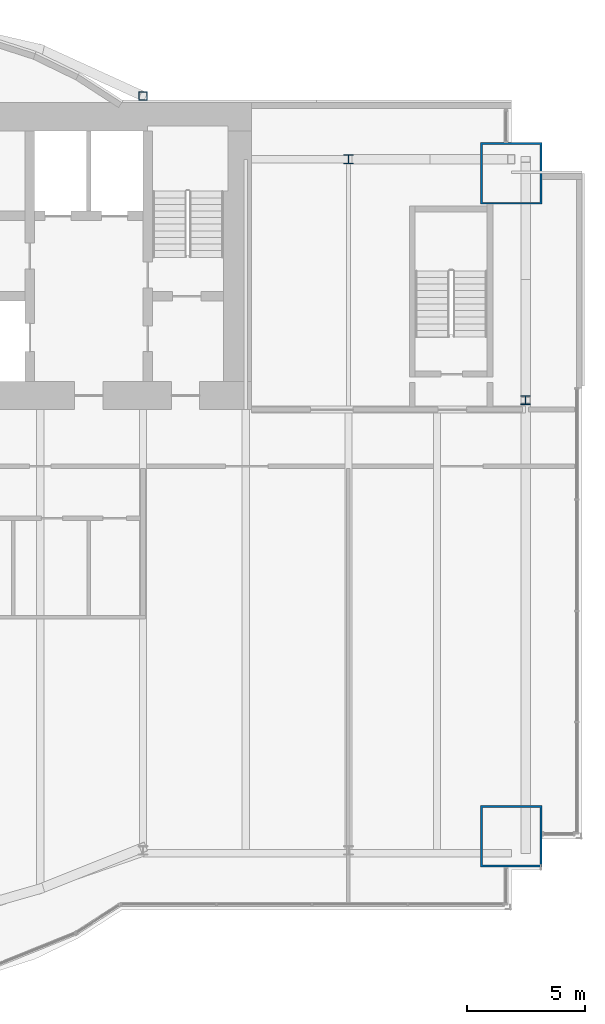
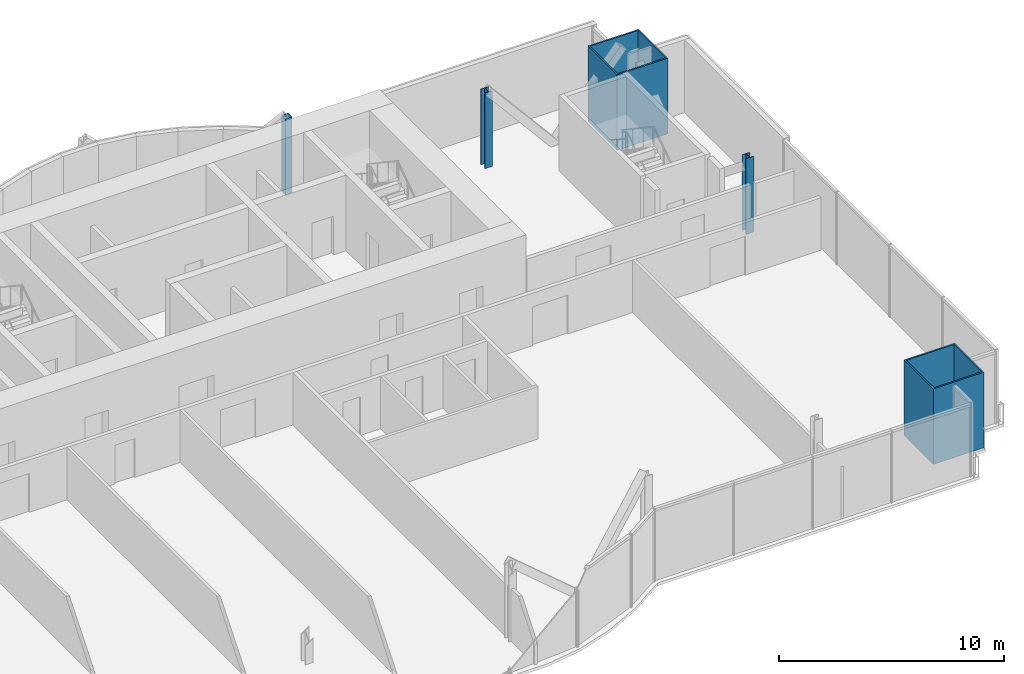
# One storey, part 4 of 21: 5 columns.
"""IFC4 building model written with IfcOpenShell, lengths in metres."""

from ifc_helpers import new_model, si_unit, direction, frame, origin, origin_2d, place, context, subcontext, project, spatial, hollow_rectangle, i_section, extrude, material, material_profile, profile_set, type_object, element, save


model = new_model("IFC4")

# Units and contexts
model_context = context("Model", 3, precision=1e-05, world=origin(), true_north=direction((0.0, 1.0)))
body_context = subcontext(model_context, "Body", "Model", "MODEL_VIEW")
ifc_project = project(units=[si_unit("LENGTHUNIT", "METRE"), si_unit("AREAUNIT", "SQUARE_METRE"), si_unit("VOLUMEUNIT", "CUBIC_METRE"), si_unit("PLANEANGLEUNIT", "RADIAN"), si_unit("MASSUNIT", "GRAM", prefix="KILO")], contexts=[model_context])

# Site, building, storey
site_placement = place(None, origin())
site = spatial("IfcSite", under=ifc_project, at=site_placement, CompositionType="ELEMENT")
building_placement = place(site_placement, origin())
building = spatial("IfcBuilding", under=site, at=building_placement, Name="Bicima Exchange Tower", CompositionType="ELEMENT")
storey_placement = place(building_placement, frame((0.0, 0.0, 173.199951171875)))
storey = spatial("IfcBuildingStorey", under=building, at=storey_placement, Name="L38", CompositionType="ELEMENT", Elevation=173.199951171875)

# Columns
ifc_material_1 = material(Name="Steel ASTM A572 Gr 50", Category="steel")
ifc_material_profile_1 = material_profile(ifc_material_1, hollow_rectangle(XDim=2.60009765625, YDim=2.60009765625, WallThickness=0.080078125, at=origin_2d()))
ifc_profile_set_1 = profile_set([ifc_material_profile_1], Name="Steel ASTM A572 Gr 50")
column_type_1 = type_object("IfcColumnType", Name="Mega column BOX 2600x2600x80", PredefinedType="COLUMN", material=ifc_profile_set_1)
for number, where, z_axis, x_axis, name in (
    (1, (33.0, -31.070068359375, 0.0), (0.0, 0.0, 1.0), (1.0, 0.0, 0.0), "Mega column mega+33.0f"),
    (2, (33.0, -3.0, 0.0), (0.0, 0.0, 1.0), (1.0, 0.0, 0.0), "Mega column mega+33.0r"),
):
    element("IfcColumn", number, at=place(storey_placement, frame(where, z_axis=z_axis, x_axis=x_axis)), inside=storey, type_object=column_type_1, Name=name, PredefinedType="COLUMN", context=body_context, shape_type="SweptSolid", body=[
        extrude(hollow_rectangle(XDim=2.60009765625, YDim=2.60009765625, WallThickness=0.080078125, at=origin_2d()), origin(), (0.0, 0.0, 1.0), 4.10009765625),
    ])
ifc_material_2 = material(Name="Steel ASTM A992 Gr 50", Category="steel")
ifc_material_profile_2 = material_profile(ifc_material_2, i_section(OverallWidth=0.396240234375, OverallDepth=0.381103515625, WebThickness=0.01904296875, FlangeThickness=0.0302734375, at=origin_2d()))
ifc_profile_set_2 = profile_set([ifc_material_profile_2], Name="Steel ASTM A992 Gr 50")
column_type_2 = type_object("IfcColumnType", Name="Perimeter column W14x159", PredefinedType="COLUMN", material=ifc_profile_set_2)
for number, where, z_axis, x_axis, name in (
    (3, (26.10009765625, -2.39990234375, 0.0), (0.0, 0.0, 1.0), (1.0, 0.0, 0.0), "Perimeter column grav+26.1r"),
    (4, (33.60009765625, -12.60009765625, 0.0), (0.0, 0.0, 1.0), (1.0, 0.0, 0.0), "End column end+33.6e"),
):
    element("IfcColumn", number, at=place(storey_placement, frame(where, z_axis=z_axis, x_axis=x_axis)), inside=storey, type_object=column_type_2, Name=name, PredefinedType="COLUMN", context=body_context, shape_type="SweptSolid", body=[
        extrude(i_section(OverallWidth=0.396240234375, OverallDepth=0.381103515625, WebThickness=0.01904296875, FlangeThickness=0.0302734375, at=origin_2d()), origin(), (0.0, 0.0, 1.0), 4.10009765625),
    ])
ifc_material_profile_3 = material_profile(ifc_material_1, hollow_rectangle(XDim=0.355712890625, YDim=0.355712890625, WallThickness=0.01171875, at=origin_2d()))
ifc_profile_set_3 = profile_set([ifc_material_profile_3], Name="Steel ASTM A572 Gr 50")
column_type_3 = type_object("IfcColumnType", Name="Rear pilaster HSS14x14x1/2", PredefinedType="COLUMN", material=ifc_profile_set_3)
column_placement = place(storey_placement, frame((17.39990234375, 0.278076171875, 0.0), z_axis=(0.0, 0.0, 1.0), x_axis=(1.0, 0.0, 0.0)))
element("IfcColumn", 5, at=column_placement, inside=storey, type_object=column_type_3, Name="Rear pilaster rexo+17.4r", PredefinedType="COLUMN", context=body_context, shape_type="SweptSolid", body=[
    extrude(hollow_rectangle(XDim=0.355712890625, YDim=0.355712890625, WallThickness=0.01171875, at=origin_2d()), origin(), (0.0, 0.0, 1.0), 4.10009765625),
])

save(model, "model.ifc")
